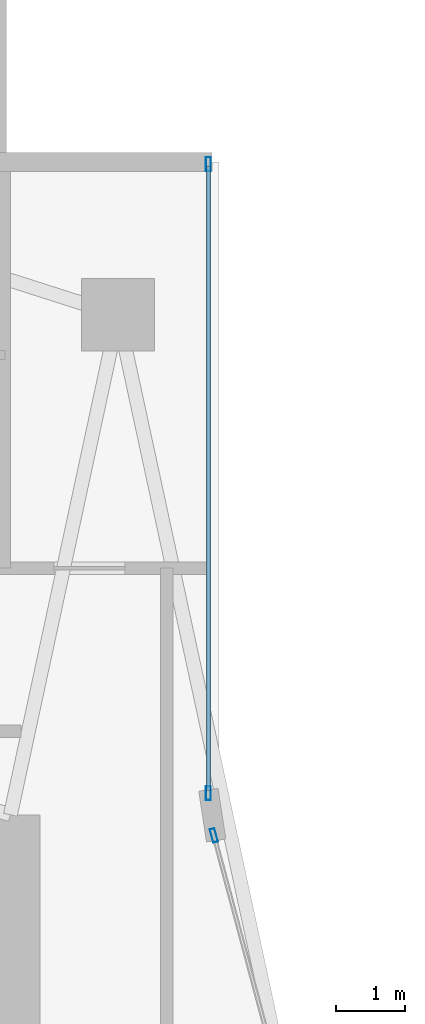
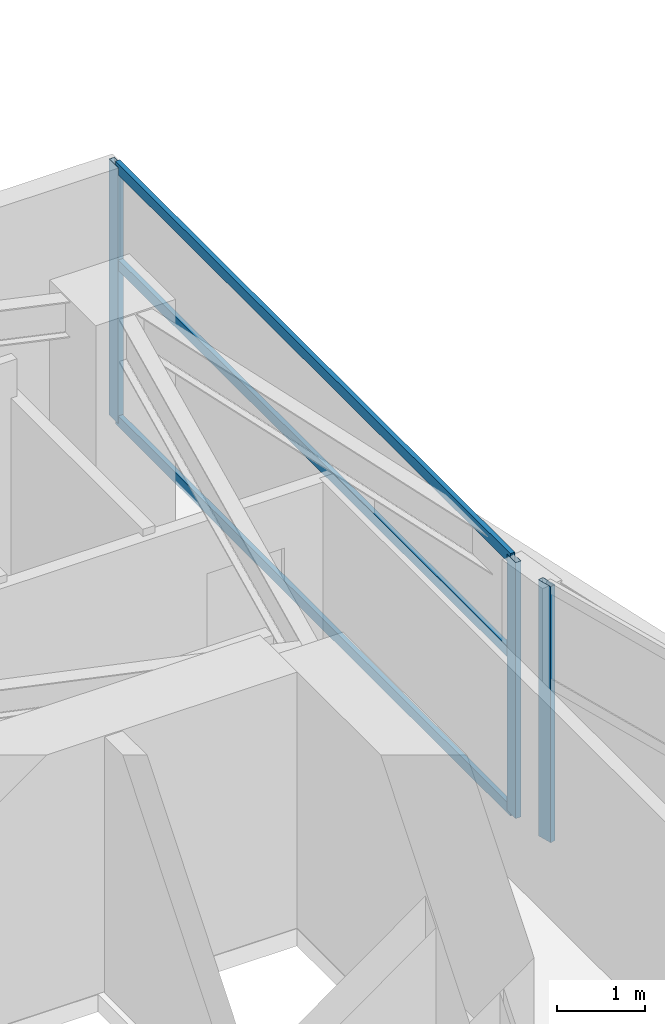
# One storey, part 18 of 28: 6 members, 2 elements without a shape of their own.
"""IFC4 building model written with IfcOpenShell, lengths in metres."""

from ifc_helpers import new_model, si_unit, direction, frame, origin, origin_2d, place, context, subcontext, project, spatial, hollow_rectangle, extrude, material, layer, layer_set, material_profile, profile_set, type_object, element, aggregate, save


model = new_model("IFC4")

# Units and contexts
model_context = context("Model", 3, precision=1e-05, world=origin(), true_north=direction((0.0, 1.0)))
body_context = subcontext(model_context, "Body", "Model", "MODEL_VIEW")
ifc_project = project(units=[si_unit("LENGTHUNIT", "METRE"), si_unit("AREAUNIT", "SQUARE_METRE"), si_unit("VOLUMEUNIT", "CUBIC_METRE"), si_unit("PLANEANGLEUNIT", "RADIAN"), si_unit("MASSUNIT", "GRAM", prefix="KILO")], contexts=[model_context])

# Site, building, storey
site_placement = place(None, origin())
site = spatial("IfcSite", under=ifc_project, at=site_placement, CompositionType="ELEMENT")
building_placement = place(site_placement, origin())
building = spatial("IfcBuilding", under=site, at=building_placement, Name="Calvorn Quay Hotel", CompositionType="ELEMENT")
storey_placement = place(building_placement, frame((0.0, 0.0, 152.300048828125)))
storey = spatial("IfcBuildingStorey", under=building, at=storey_placement, Name="L37", CompositionType="ELEMENT", Elevation=152.300048828125)

# Curtain wall, member
ifc_material_1 = material(Name="Pale Anodised Aluminium and Low-E Glass", Category="aluminium")
ifc_layer = layer(ifc_material_1, 0.219970703125)
ifc_layer_set = layer_set([ifc_layer], Name="CW-SYS-Z2")
curtain_wall_type = type_object("IfcCurtainWallType", Name="CW-SYS-Z2", PredefinedType="NOTDEFINED", material=ifc_layer_set)
curtain_wall_1_placement = place(storey_placement, origin())
curtain_wall_1 = element("IfcCurtainWall", 1, at=curtain_wall_1_placement, inside=storey, type_object=curtain_wall_type, Name="Inner Court Curtain Wall L37-IC1", PredefinedType="NOTDEFINED")
ifc_material_2 = material(Name="Pale Anodised Aluminium 6063-T6", Category="aluminium")
ifc_material_profile_1 = material_profile(ifc_material_2, hollow_rectangle(XDim=0.070068359375, YDim=0.199951171875, WallThickness=0.00390625, at=origin_2d()), Name="ALU-M200x70x4")
ifc_profile_set_1 = profile_set([ifc_material_profile_1], Name="Pale Anodised Aluminium 6063-T6")
member_type_1 = type_object("IfcMemberType", Name="CW-SYS-Z2-MUL", PredefinedType="MULLION", material=ifc_profile_set_1)
member_1_placement = place(storey_placement, frame((17.9296875, 38.10107421875, 0.0), z_axis=(0.0, 0.0, 1.0), x_axis=(-0.96593652056, -0.25877913024, 0.0)))
member_1 = element("IfcMember", 2, at=member_1_placement, type_object=member_type_1, Name="CW-L37-IC1 mullion 2", PredefinedType="MULLION", context=body_context, shape_type="SweptSolid", body=[
    extrude(hollow_rectangle(XDim=0.070068359375, YDim=0.199951171875, WallThickness=0.00390625, at=origin_2d()), origin(), (0.0, 0.0, 1.0), 3.56005859375),
])
aggregate(curtain_wall_1, [member_1])

# Curtain wall, members
curtain_wall_2_placement = place(storey_placement, origin())
curtain_wall_2 = element("IfcCurtainWall", 3, at=curtain_wall_2_placement, inside=storey, type_object=curtain_wall_type, Name="Inner Court Curtain Wall L37-IC2", PredefinedType="NOTDEFINED")
member_2_placement = place(storey_placement, frame((17.85009765625, 38.7099609375, 0.0), z_axis=(0.0, 0.0, 1.0), x_axis=(-1.0, 0.0, 0.0)))
member_2 = element("IfcMember", 4, at=member_2_placement, type_object=member_type_1, Name="CW-L37-IC2 mullion 1", PredefinedType="MULLION", context=body_context, shape_type="SweptSolid", body=[
    extrude(hollow_rectangle(XDim=0.070068359375, YDim=0.199951171875, WallThickness=0.00390625, at=origin_2d()), origin(), (0.0, 0.0, 1.0), 3.56005859375),
])
member_3_placement = place(storey_placement, frame((17.85009765625, 47.77001953125, 0.0), z_axis=(0.0, 0.0, 1.0), x_axis=(-1.0, 0.0, 0.0)))
member_3 = element("IfcMember", 5, at=member_3_placement, type_object=member_type_1, Name="CW-L37-IC2 mullion 2", PredefinedType="MULLION", context=body_context, shape_type="SweptSolid", body=[
    extrude(hollow_rectangle(XDim=0.070068359375, YDim=0.199951171875, WallThickness=0.00390625, at=origin_2d()), origin(), (0.0, 0.0, 1.0), 3.56005859375),
])
ifc_material_3 = material(Name="Pale Anodised Aluminium 6063-T6", Category="aluminium")
ifc_material_profile_2 = material_profile(ifc_material_3, hollow_rectangle(XDim=0.06005859375, YDim=0.14990234375, WallThickness=0.00341796875, at=origin_2d()), Name="ALU-T150x60x3.5")
ifc_profile_set_2 = profile_set([ifc_material_profile_2], Name="Pale Anodised Aluminium 6063-T6")
member_type_2 = type_object("IfcMemberType", Name="CW-SYS-Z2-TRN", PredefinedType="USERDEFINED", material=ifc_profile_set_2)
member_4_placement = place(storey_placement, frame((17.85009765625, 38.739990234375, 0.030029296875), z_axis=(0.0, 1.0, 0.0), x_axis=(-1.0, 0.0, 0.0)))
member_4 = element("IfcMember", 6, at=member_4_placement, type_object=member_type_2, Name="CW-L37-IC2 transom 1.1", ObjectType="TRANSOM", PredefinedType="USERDEFINED", context=body_context, shape_type="SweptSolid", body=[
    extrude(hollow_rectangle(XDim=0.06005859375, YDim=0.14990234375, WallThickness=0.00341796875, at=origin_2d()), origin(), (0.0, 0.0, 1.0), 9.0),
])
member_5_placement = place(storey_placement, frame((17.85009765625, 38.739990234375, 2.199951171875), z_axis=(0.0, 1.0, 0.0), x_axis=(-1.0, 0.0, 0.0)))
member_5 = element("IfcMember", 7, at=member_5_placement, type_object=member_type_2, Name="CW-L37-IC2 transom 1.2", ObjectType="TRANSOM", PredefinedType="USERDEFINED", context=body_context, shape_type="SweptSolid", body=[
    extrude(hollow_rectangle(XDim=0.06005859375, YDim=0.14990234375, WallThickness=0.00341796875, at=origin_2d()), origin(), (0.0, 0.0, 1.0), 9.0),
])
member_6_placement = place(storey_placement, frame((17.85009765625, 38.739990234375, 3.530029296875), z_axis=(0.0, 1.0, 0.0), x_axis=(-1.0, 0.0, 0.0)))
member_6 = element("IfcMember", 8, at=member_6_placement, type_object=member_type_2, Name="CW-L37-IC2 transom 1.3", ObjectType="TRANSOM", PredefinedType="USERDEFINED", context=body_context, shape_type="SweptSolid", body=[
    extrude(hollow_rectangle(XDim=0.06005859375, YDim=0.14990234375, WallThickness=0.00341796875, at=origin_2d()), origin(), (0.0, 0.0, 1.0), 9.0),
])
aggregate(curtain_wall_2, [member_2, member_3, member_4, member_5, member_6])

save(model, "model.ifc")
